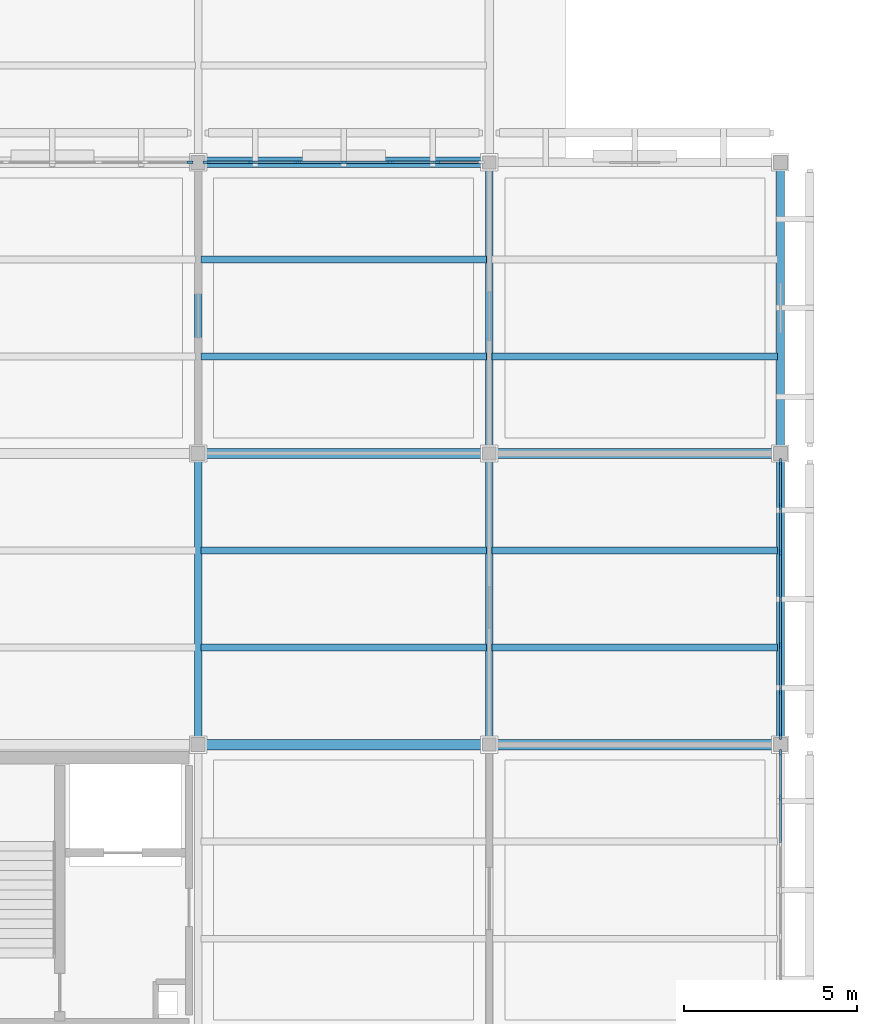
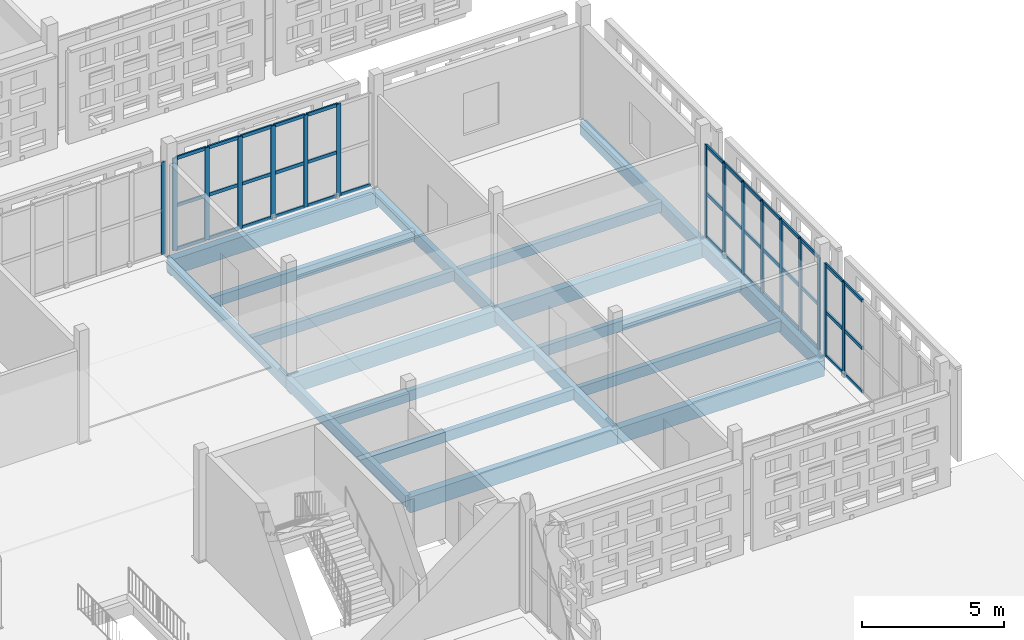
# One storey, part 75 of 203: 56 members, 18 beams, 4 elements without a shape of their own.
"""IFC4 building model written with IfcOpenShell, lengths in metres."""

import ifcopenshell
import ifcopenshell.guid

model = None  # the IFC model being written
_history = None  # IfcOwnerHistory: only IFC2X3 demands one
_inside = {}  # id of a spatial element -> (the spatial element, [elements in it])
_under = {}  # id of a project, library or spatial element -> (it, [spatial elements below it])
_declared = {}  # id of a project -> (the project, [libraries it declares])
_typed = {}  # id of a type object -> (the type object, [elements of that type])
_made_of = {}  # id of a material, layer set ... -> (it, [elements and type objects made of it])


def new_model(schema):
    """Start an empty IFC model of exactly this schema.

    Asked for "IFC4X3", IfcOpenShell would pick the latest addendum, in which some entities
    have other attributes; the version numbers below select the first issue.
    IFC2X3 requires an IfcOwnerHistory on every rooted entity: one is made here for all.
    """
    global model, _history
    if schema == "IFC4X3":
        model = ifcopenshell.file(schema_version=(4, 3, 0, 0))
    else:
        model = ifcopenshell.file(schema=schema)
    _inside.clear()
    _under.clear()
    _declared.clear()
    _typed.clear()
    _made_of.clear()
    _history = None
    if model.schema == "IFC2X3":
        org = make("IfcOrganization", Name="unknown")
        user = make(
            "IfcPersonAndOrganization",
            ThePerson=make("IfcPerson", FamilyName="unknown"),
            TheOrganization=org,
        )
        app = make(
            "IfcApplication",
            ApplicationDeveloper=org,
            Version="unknown",
            ApplicationFullName="unknown",
            ApplicationIdentifier="unknown",
        )
        _history = make(
            "IfcOwnerHistory",
            OwningUser=user,
            OwningApplication=app,
            ChangeAction="ADDED",
            CreationDate=0,
        )
    return model


def make(cls, **values):
    """One entity of the class cls with the attributes given. An attribute that is None is left unset."""
    return model.create_entity(
        cls, **{name: value for name, value in values.items() if value is not None}
    )


def rooted(cls, **values):
    """An entity with a GlobalId (a new one), such as an element, a storey or a relation."""
    return make(cls, GlobalId=ifcopenshell.guid.new(), OwnerHistory=_history, **values)


def si_unit(unit_type, name, prefix=None):
    """IfcSIUnit, for example si_unit("LENGTHUNIT", "METRE", prefix="MILLI")."""
    return make("IfcSIUnit", UnitType=unit_type, Prefix=prefix, Name=name)


def assignment(units):
    """IfcUnitAssignment: the units of a project."""
    return None if units is None else make("IfcUnitAssignment", Units=units)


def point(xyz):
    """IfcCartesianPoint."""
    return None if xyz is None else make("IfcCartesianPoint", Coordinates=xyz)


def direction(xyz):
    """IfcDirection."""
    return None if xyz is None else make("IfcDirection", DirectionRatios=xyz)


def frame(location, z_axis=None, x_axis=None):
    """IfcAxis2Placement3D, a coordinate frame: its origin and axes. An axis left out is left unset."""
    return make(
        "IfcAxis2Placement3D",
        Location=point(location),
        Axis=direction(z_axis),
        RefDirection=direction(x_axis),
    )


def frame_2d(location, x_axis=None):
    """IfcAxis2Placement2D, a coordinate frame in the plane: its origin and x axis."""
    return make(
        "IfcAxis2Placement2D", Location=point(location), RefDirection=direction(x_axis)
    )


def origin():
    """The frame at (0, 0, 0) with its axes left unset."""
    return frame((0.0, 0.0, 0.0))


def origin_2d():
    """The frame at (0, 0) in the plane with its x axis left unset."""
    return frame_2d((0.0, 0.0))


def place(relative_to, where):
    """IfcLocalPlacement: puts the frame where relative to a parent placement (None: the world)."""
    return make(
        "IfcLocalPlacement", PlacementRelTo=relative_to, RelativePlacement=where
    )


def context(
    kind, dimensions, precision=None, world=None, true_north=None, identifier=None
):
    """IfcGeometricRepresentationContext, for example the 3D "Model" context."""
    return make(
        "IfcGeometricRepresentationContext",
        ContextIdentifier=identifier,
        ContextType=kind,
        CoordinateSpaceDimension=dimensions,
        Precision=precision,
        WorldCoordinateSystem=world,
        TrueNorth=true_north,
    )


def subcontext(parent, identifier, kind, view, scale=None):
    """IfcGeometricRepresentationSubContext, for example "Body" below "Model"."""
    return make(
        "IfcGeometricRepresentationSubContext",
        ContextIdentifier=identifier,
        ContextType=kind,
        ParentContext=parent,
        TargetScale=scale,
        TargetView=view,
    )


def project(units=None, contexts=None):
    """IfcProject with its units and contexts."""
    return rooted(
        "IfcProject",
        Name="project",
        RepresentationContexts=contexts,
        UnitsInContext=assignment(units),
    )


def spatial(cls, under=None, at=None, **own):
    """A site, building, storey or space (cls), placed at a placement, below another one or the project."""
    s = rooted(cls, ObjectPlacement=at, **own)
    if under is not None:
        _under.setdefault(under.id(), (under, []))[1].append(s)
    return s


def profile(cls, at=None, kind="AREA", **sizes):
    """A parametric profile (cls). Its sizes go by their IFC names, for example OverallWidth=200.0."""
    return make(cls, ProfileType=kind, Position=at, **sizes)


def rectangle(**sizes):
    """IfcRectangleProfileDef."""
    return profile("IfcRectangleProfileDef", **sizes)


def extrude(swept, where, along, depth):
    """IfcExtrudedAreaSolid: the profile swept, set in the frame where, extruded along a direction by depth."""
    return make(
        "IfcExtrudedAreaSolid",
        SweptArea=swept,
        Position=where,
        ExtrudedDirection=direction(along),
        Depth=depth,
    )


def shape(context_of_items, identifier, shape_type, items):
    """IfcShapeRepresentation: the items that make up one representation, for example the "Body"."""
    return make(
        "IfcShapeRepresentation",
        ContextOfItems=context_of_items,
        RepresentationIdentifier=identifier,
        RepresentationType=shape_type,
        Items=items,
    )


def material(Name=None, Category=None):
    """IfcMaterial."""
    return make("IfcMaterial", Name=Name, Category=Category)


def layer(
    of_material, thickness, ventilated=None, Name=None, Category=None, Priority=None
):
    """IfcMaterialLayer: one layer of a wall or slab, of a material (None: an air gap)."""
    return make(
        "IfcMaterialLayer",
        Material=of_material,
        LayerThickness=thickness,
        IsVentilated=ventilated,
        Name=Name,
        Category=Category,
        Priority=Priority,
    )


def layer_set(layers, Name=None):
    """IfcMaterialLayerSet."""
    return make("IfcMaterialLayerSet", MaterialLayers=layers, LayerSetName=Name)


def material_profile(
    of_material, cross_section, Name=None, Category=None, Priority=None
):
    """IfcMaterialProfile: a cross section and its material."""
    return make(
        "IfcMaterialProfile",
        Name=Name,
        Material=of_material,
        Profile=cross_section,
        Priority=Priority,
        Category=Category,
    )


def profile_set(profiles, Name=None, composite=None):
    """IfcMaterialProfileSet."""
    return make(
        "IfcMaterialProfileSet",
        Name=Name,
        MaterialProfiles=profiles,
        CompositeProfile=composite,
    )


def made_of(thing, what):
    """Note that an element or type object is made of a material, layer set ...; save() writes the relation."""
    if what is not None:
        _made_of.setdefault(what.id(), (what, []))[1].append(thing)
    return thing


def type_object(cls, material=None, **own):
    """A type object (cls), such as IfcWallType, which elements share."""
    return made_of(rooted(cls, **own), material)


def element(
    cls,
    number,
    at=None,
    inside=None,
    cuts=None,
    type_object=None,
    material=None,
    context=None,
    identifier="Body",
    shape_type=None,
    held_by="IfcProductDefinitionShape",
    body=None,
    shapes=None,
    **own,
):
    """One element of the class cls, such as IfcWall. Its Tag is "e" and its number.

    at: its placement. inside: the storey or other place that contains it. cuts: it is an
    opening in that element (IfcRelVoidsElement). A single representation is given by context,
    identifier, shape_type and body (its items); several are given by shapes. held_by: the class
    of the entity that holds the representations. save() writes the other relations.
    """
    e = rooted(cls, Tag="e%d" % number, ObjectPlacement=at, **own)
    if body is not None:
        shapes = [shape(context, identifier, shape_type, body)]
    if shapes is not None:
        e.Representation = make(held_by, Representations=shapes)
    if inside is not None:
        _inside.setdefault(inside.id(), (inside, []))[1].append(e)
    if cuts is not None:
        rooted(
            "IfcRelVoidsElement", RelatingBuildingElement=cuts, RelatedOpeningElement=e
        )
    if type_object is not None:
        _typed.setdefault(type_object.id(), (type_object, []))[1].append(e)
    return made_of(e, material)


def aggregate(whole, parts):
    """IfcRelAggregates: a whole, such as a stair, and the parts it consists of."""
    return rooted("IfcRelAggregates", RelatingObject=whole, RelatedObjects=parts)


def save(model, path):
    """Write the relations noted so far, then the file.

    IfcRelAggregates (storeys below a building ...), IfcRelContainedInSpatialStructure (elements
    in a storey), IfcRelDefinesByType, IfcRelAssociatesMaterial and IfcRelDeclares: one each for
    every whole, place, type object, material and project.
    """
    for whole, parts in _under.values():
        aggregate(whole, parts)
    for where, things in _inside.values():
        rooted(
            "IfcRelContainedInSpatialStructure",
            RelatedElements=things,
            RelatingStructure=where,
        )
    for kind, things in _typed.values():
        rooted("IfcRelDefinesByType", RelatedObjects=things, RelatingType=kind)
    for what, things in _made_of.values():
        rooted("IfcRelAssociatesMaterial", RelatedObjects=things, RelatingMaterial=what)
    for by, libraries in _declared.values():
        rooted("IfcRelDeclares", RelatingContext=by, RelatedDefinitions=libraries)
    model.write(path)


model = new_model("IFC4")

# Units and contexts
model_context = context("Model", 3, precision=1e-05, world=origin(), true_north=direction((0.0, 1.0)))
body_context = subcontext(model_context, "Body", "Model", "MODEL_VIEW")
ifc_project = project(units=[si_unit("LENGTHUNIT", "METRE"), si_unit("AREAUNIT", "SQUARE_METRE"), si_unit("VOLUMEUNIT", "CUBIC_METRE"), si_unit("PLANEANGLEUNIT", "RADIAN"), si_unit("MASSUNIT", "GRAM", prefix="KILO")], contexts=[model_context])

# Site, building, storey
site_placement = place(None, origin())
site = spatial("IfcSite", under=ifc_project, at=site_placement, CompositionType="ELEMENT")
building_placement = place(site_placement, origin())
building = spatial("IfcBuilding", under=site, at=building_placement, Name="Varnapada Polytechnic", CompositionType="ELEMENT")
storey_placement = place(building_placement, frame((0.0, 0.0, 4.800048828125)))
storey = spatial("IfcBuildingStorey", under=building, at=storey_placement, Name="L01", CompositionType="ELEMENT", Elevation=4.800048828125)

# Beams
ifc_material_1 = material(Name="Glulam GL32h", Category="wood")
ifc_material_profile_1 = material_profile(ifc_material_1, rectangle(XDim=0.199951171875, YDim=0.43994140625, at=origin_2d()), Name="GL 200x440")
ifc_profile_set_1 = profile_set([ifc_material_profile_1], Name="Glulam GL32h")
beam_type_1 = type_object("IfcBeamType", Name="Heavy laboratory glulam joist GJ-03 (GL 200x440)", PredefinedType="JOIST", material=ifc_profile_set_1)
for number, where, z_axis, x_axis, name in (
    (1, (159.679931640625, 36.39990234375, -0.469970703125), (1.0, 0.0, 0.0), (0.0, 1.0, 0.0), "L01 floor joist 20/5.1"),
    (2, (159.679931640625, 39.199951171875, -0.469970703125), (1.0, 0.0, 0.0), (0.0, 1.0, 0.0), "L01 floor joist 20/5.2"),
    (3, (159.679931640625, 44.800048828125, -0.469970703125), (1.0, 0.0, 0.0), (0.0, 1.0, 0.0), "L01 floor joist 20/6.1"),
    (4, (159.679931640625, 47.60009765625, -0.469970703125), (1.0, 0.0, 0.0), (0.0, 1.0, 0.0), "L01 floor joist 20/6.2"),
    (5, (168.080078125, 36.39990234375, -0.469970703125), (1.0, 0.0, 0.0), (0.0, 1.0, 0.0), "L01 floor joist 21/5.1"),
    (6, (168.080078125, 39.199951171875, -0.469970703125), (1.0, 0.0, 0.0), (0.0, 1.0, 0.0), "L01 floor joist 21/5.2"),
    (7, (168.080078125, 44.800048828125, -0.469970703125), (1.0, 0.0, 0.0), (0.0, 1.0, 0.0), "L01 floor joist 21/6.1"),
):
    element("IfcBeam", number, at=place(storey_placement, frame(where, z_axis=z_axis, x_axis=x_axis)), inside=storey, type_object=beam_type_1, Name=name, PredefinedType="JOIST", context=body_context, shape_type="SweptSolid", body=[
        extrude(rectangle(XDim=0.199951171875, YDim=0.43994140625, at=origin_2d()), origin(), (0.0, 0.0, 1.0), 8.239990234375),
    ])

# Curtain wall, member
ifc_material_2 = material(Name="Double low-E laminated glass", Category="glass")
ifc_layer = layer(ifc_material_2, 0.179931640625)
ifc_layer_set = layer_set([ifc_layer], Name="Double low-E laminated glass")
curtain_wall_type = type_object("IfcCurtainWallType", Name="Curtain Wall CW-04", PredefinedType="NOTDEFINED", material=ifc_layer_set)
curtain_wall_1_placement = place(storey_placement, origin())
curtain_wall_1 = element("IfcCurtainWall", 8, at=curtain_wall_1_placement, inside=storey, type_object=curtain_wall_type, Name="L01 unitised curtain wall CW-04 (111)", PredefinedType="NOTDEFINED")
ifc_material_3 = material(Name="Anodised aluminium", Category="aluminium")
ifc_material_profile_2 = material_profile(ifc_material_3, rectangle(XDim=0.06494140625, YDim=0.179931640625, at=origin_2d()), Name="ALU M65x180")
ifc_profile_set_2 = profile_set([ifc_material_profile_2], Name="Anodised aluminium")
member_type_1 = type_object("IfcMemberType", Name="Mullion M-02", PredefinedType="MULLION", material=ifc_profile_set_2)
member_1_placement = place(storey_placement, frame((159.367431640625, 50.39990234375, 0.0), z_axis=(0.0, 0.0, 1.0), x_axis=(0.0, 1.0, 0.0)))
member_1 = element("IfcMember", 9, at=member_1_placement, type_object=member_type_1, Name="CW-04 mullion 7", PredefinedType="MULLION", context=body_context, shape_type="SweptSolid", body=[
    extrude(rectangle(XDim=0.06494140625, YDim=0.179931640625, at=origin_2d()), origin(), (0.0, 0.0, 1.0), 3.9599609375),
])
aggregate(curtain_wall_1, [member_1])

# Curtain wall, members
curtain_wall_2_placement = place(storey_placement, origin())
curtain_wall_2 = element("IfcCurtainWall", 10, at=curtain_wall_2_placement, inside=storey, type_object=curtain_wall_type, Name="L01 unitised curtain wall CW-04 (112)", PredefinedType="NOTDEFINED")
member_2_placement = place(storey_placement, frame((159.83251953125, 50.39990234375, 0.0), z_axis=(0.0, 0.0, 1.0), x_axis=(0.0, 1.0, 0.0)))
member_2 = element("IfcMember", 11, at=member_2_placement, type_object=member_type_1, Name="CW-04 mullion 1", PredefinedType="MULLION", context=body_context, shape_type="SweptSolid", body=[
    extrude(rectangle(XDim=0.06494140625, YDim=0.179931640625, at=origin_2d()), origin(), (0.0, 0.0, 1.0), 3.9599609375),
])
member_3_placement = place(storey_placement, frame((161.135009765625, 50.39990234375, 0.0), z_axis=(0.0, 0.0, 1.0), x_axis=(0.0, 1.0, 0.0)))
member_3 = element("IfcMember", 12, at=member_3_placement, type_object=member_type_1, Name="CW-04 mullion 2", PredefinedType="MULLION", context=body_context, shape_type="SweptSolid", body=[
    extrude(rectangle(XDim=0.06494140625, YDim=0.179931640625, at=origin_2d()), origin(), (0.0, 0.0, 1.0), 3.9599609375),
])
member_4_placement = place(storey_placement, frame((162.469970703125, 50.39990234375, 0.0), z_axis=(0.0, 0.0, 1.0), x_axis=(0.0, 1.0, 0.0)))
member_4 = element("IfcMember", 13, at=member_4_placement, type_object=member_type_1, Name="CW-04 mullion 3", PredefinedType="MULLION", context=body_context, shape_type="SweptSolid", body=[
    extrude(rectangle(XDim=0.06494140625, YDim=0.179931640625, at=origin_2d()), origin(), (0.0, 0.0, 1.0), 3.9599609375),
])
member_5_placement = place(storey_placement, frame((163.804931640625, 50.39990234375, 0.0), z_axis=(0.0, 0.0, 1.0), x_axis=(0.0, 1.0, 0.0)))
member_5 = element("IfcMember", 14, at=member_5_placement, type_object=member_type_1, Name="CW-04 mullion 4", PredefinedType="MULLION", context=body_context, shape_type="SweptSolid", body=[
    extrude(rectangle(XDim=0.06494140625, YDim=0.179931640625, at=origin_2d()), origin(), (0.0, 0.0, 1.0), 3.9599609375),
])
member_6_placement = place(storey_placement, frame((165.139892578125, 50.39990234375, 0.0), z_axis=(0.0, 0.0, 1.0), x_axis=(0.0, 1.0, 0.0)))
member_6 = element("IfcMember", 15, at=member_6_placement, type_object=member_type_1, Name="CW-04 mullion 5", PredefinedType="MULLION", context=body_context, shape_type="SweptSolid", body=[
    extrude(rectangle(XDim=0.06494140625, YDim=0.179931640625, at=origin_2d()), origin(), (0.0, 0.0, 1.0), 3.9599609375),
])
member_7_placement = place(storey_placement, frame((166.47509765625, 50.39990234375, 0.0), z_axis=(0.0, 0.0, 1.0), x_axis=(0.0, 1.0, 0.0)))
member_7 = element("IfcMember", 16, at=member_7_placement, type_object=member_type_1, Name="CW-04 mullion 6", PredefinedType="MULLION", context=body_context, shape_type="SweptSolid", body=[
    extrude(rectangle(XDim=0.06494140625, YDim=0.179931640625, at=origin_2d()), origin(), (0.0, 0.0, 1.0), 3.9599609375),
])

curtain_wall_3_placement = place(storey_placement, origin())
curtain_wall_3 = element("IfcCurtainWall", 17, at=curtain_wall_3_placement, inside=storey, type_object=curtain_wall_type, Name="L01 unitised curtain wall CW-04 (119)", PredefinedType="NOTDEFINED")
member_8_placement = place(storey_placement, frame((176.39990234375, 33.367431640625, 0.0), z_axis=(0.0, 0.0, 1.0), x_axis=(1.0, 0.0, 0.0)))
member_8 = element("IfcMember", 18, at=member_8_placement, type_object=member_type_1, Name="CW-04 mullion 1", PredefinedType="MULLION", context=body_context, shape_type="SweptSolid", body=[
    extrude(rectangle(XDim=0.06494140625, YDim=0.179931640625, at=origin_2d()), origin(), (0.0, 0.0, 1.0), 3.9599609375),
])
member_9_placement = place(storey_placement, frame((176.39990234375, 32.066650390625, 0.0), z_axis=(0.0, 0.0, 1.0), x_axis=(1.0, 0.0, 0.0)))
member_9 = element("IfcMember", 19, at=member_9_placement, type_object=member_type_1, Name="CW-04 mullion 2", PredefinedType="MULLION", context=body_context, shape_type="SweptSolid", body=[
    extrude(rectangle(XDim=0.06494140625, YDim=0.179931640625, at=origin_2d()), origin(), (0.0, 0.0, 1.0), 3.9599609375),
])

curtain_wall_4_placement = place(storey_placement, origin())
curtain_wall_4 = element("IfcCurtainWall", 20, at=curtain_wall_4_placement, inside=storey, type_object=curtain_wall_type, Name="L01 unitised curtain wall CW-04 (120)", PredefinedType="NOTDEFINED")
member_10_placement = place(storey_placement, frame((176.39990234375, 41.767578125, 0.0), z_axis=(0.0, 0.0, 1.0), x_axis=(1.0, 0.0, 0.0)))
member_10 = element("IfcMember", 21, at=member_10_placement, type_object=member_type_1, Name="CW-04 mullion 1", PredefinedType="MULLION", context=body_context, shape_type="SweptSolid", body=[
    extrude(rectangle(XDim=0.06494140625, YDim=0.179931640625, at=origin_2d()), origin(), (0.0, 0.0, 1.0), 3.9599609375),
])
member_11_placement = place(storey_placement, frame((176.39990234375, 40.466552734375, 0.0), z_axis=(0.0, 0.0, 1.0), x_axis=(1.0, 0.0, 0.0)))
member_11 = element("IfcMember", 22, at=member_11_placement, type_object=member_type_1, Name="CW-04 mullion 2", PredefinedType="MULLION", context=body_context, shape_type="SweptSolid", body=[
    extrude(rectangle(XDim=0.06494140625, YDim=0.179931640625, at=origin_2d()), origin(), (0.0, 0.0, 1.0), 3.9599609375),
])
member_12_placement = place(storey_placement, frame((176.39990234375, 39.13330078125, 0.0), z_axis=(0.0, 0.0, 1.0), x_axis=(1.0, 0.0, 0.0)))
member_12 = element("IfcMember", 23, at=member_12_placement, type_object=member_type_1, Name="CW-04 mullion 3", PredefinedType="MULLION", context=body_context, shape_type="SweptSolid", body=[
    extrude(rectangle(XDim=0.06494140625, YDim=0.179931640625, at=origin_2d()), origin(), (0.0, 0.0, 1.0), 3.9599609375),
])
member_13_placement = place(storey_placement, frame((176.39990234375, 37.800048828125, 0.0), z_axis=(0.0, 0.0, 1.0), x_axis=(1.0, 0.0, 0.0)))
member_13 = element("IfcMember", 24, at=member_13_placement, type_object=member_type_1, Name="CW-04 mullion 4", PredefinedType="MULLION", context=body_context, shape_type="SweptSolid", body=[
    extrude(rectangle(XDim=0.06494140625, YDim=0.179931640625, at=origin_2d()), origin(), (0.0, 0.0, 1.0), 3.9599609375),
])
member_14_placement = place(storey_placement, frame((176.39990234375, 36.466552734375, 0.0), z_axis=(0.0, 0.0, 1.0), x_axis=(1.0, 0.0, 0.0)))
member_14 = element("IfcMember", 25, at=member_14_placement, type_object=member_type_1, Name="CW-04 mullion 5", PredefinedType="MULLION", context=body_context, shape_type="SweptSolid", body=[
    extrude(rectangle(XDim=0.06494140625, YDim=0.179931640625, at=origin_2d()), origin(), (0.0, 0.0, 1.0), 3.9599609375),
])
member_15_placement = place(storey_placement, frame((176.39990234375, 35.13330078125, 0.0), z_axis=(0.0, 0.0, 1.0), x_axis=(1.0, 0.0, 0.0)))
member_15 = element("IfcMember", 26, at=member_15_placement, type_object=member_type_1, Name="CW-04 mullion 6", PredefinedType="MULLION", context=body_context, shape_type="SweptSolid", body=[
    extrude(rectangle(XDim=0.06494140625, YDim=0.179931640625, at=origin_2d()), origin(), (0.0, 0.0, 1.0), 3.9599609375),
])
member_16_placement = place(storey_placement, frame((176.39990234375, 33.83251953125, 0.0), z_axis=(0.0, 0.0, 1.0), x_axis=(1.0, 0.0, 0.0)))
member_16 = element("IfcMember", 27, at=member_16_placement, type_object=member_type_1, Name="CW-04 mullion 7", PredefinedType="MULLION", context=body_context, shape_type="SweptSolid", body=[
    extrude(rectangle(XDim=0.06494140625, YDim=0.179931640625, at=origin_2d()), origin(), (0.0, 0.0, 1.0), 3.9599609375),
])

# Beams
ifc_material_profile_3 = material_profile(ifc_material_1, rectangle(XDim=0.239990234375, YDim=0.56005859375, at=origin_2d()), Name="GL 240x560")
ifc_profile_set_3 = profile_set([ifc_material_profile_3], Name="Glulam GL32h")
beam_type_2 = type_object("IfcBeamType", Name="Perimeter glulam spandrel beam SP-02 (GL 240x560)", PredefinedType="SPANDREL", material=ifc_profile_set_3)
for number, where, z_axis, x_axis, name in (
    (28, (176.39990234375, 33.60009765625, -0.530029296875), (0.0, 1.0, 0.0), (-1.0, 0.0, 0.0), "L01 beam Y 5-6 at X22"),
    (29, (176.39990234375, 42.0, -0.530029296875), (0.0, 1.0, 0.0), (-1.0, 0.0, 0.0), "L01 beam Y 6-7 at X22"),
):
    element("IfcBeam", number, at=place(storey_placement, frame(where, z_axis=z_axis, x_axis=x_axis)), inside=storey, type_object=beam_type_2, Name=name, PredefinedType="SPANDREL", context=body_context, shape_type="SweptSolid", body=[
        extrude(rectangle(XDim=0.239990234375, YDim=0.56005859375, at=origin_2d()), origin(), (0.0, 0.0, 1.0), 8.39990234375),
    ])

# Member
ifc_material_profile_4 = material_profile(ifc_material_3, rectangle(XDim=0.06494140625, YDim=0.139892578125, at=origin_2d()), Name="ALU T65x140")
ifc_profile_set_4 = profile_set([ifc_material_profile_4], Name="Anodised aluminium")
member_type_2 = type_object("IfcMemberType", Name="Transom T-02", PredefinedType="USERDEFINED", material=ifc_profile_set_4)
member_17_placement = place(storey_placement, frame((159.864990234375, 50.39990234375, 0.032470703125), z_axis=(1.0, 0.0, 0.0), x_axis=(0.0, 1.0, 0.0)))
member_17 = element("IfcMember", 30, at=member_17_placement, type_object=member_type_2, Name="CW-04 transom 1.1", ObjectType="TRANSOM", PredefinedType="USERDEFINED", context=body_context, shape_type="SweptSolid", body=[
    extrude(rectangle(XDim=0.06494140625, YDim=0.139892578125, at=origin_2d()), origin(), (0.0, 0.0, 1.0), 1.237548828125),
])

member_18_placement = place(storey_placement, frame((159.864990234375, 50.39990234375, 1.900634765625), z_axis=(1.0, 0.0, 0.0), x_axis=(0.0, 1.0, 0.0)))
member_18 = element("IfcMember", 31, at=member_18_placement, type_object=member_type_2, Name="CW-04 transom 1.2", ObjectType="TRANSOM", PredefinedType="USERDEFINED", context=body_context, shape_type="SweptSolid", body=[
    extrude(rectangle(XDim=0.06494140625, YDim=0.139892578125, at=origin_2d()), origin(), (0.0, 0.0, 1.0), 1.237548828125),
])

member_19_placement = place(storey_placement, frame((159.864990234375, 50.39990234375, 3.927490234375), z_axis=(1.0, 0.0, 0.0), x_axis=(0.0, 1.0, 0.0)))
member_19 = element("IfcMember", 32, at=member_19_placement, type_object=member_type_2, Name="CW-04 transom 1.3", ObjectType="TRANSOM", PredefinedType="USERDEFINED", context=body_context, shape_type="SweptSolid", body=[
    extrude(rectangle(XDim=0.06494140625, YDim=0.139892578125, at=origin_2d()), origin(), (0.0, 0.0, 1.0), 1.237548828125),
])

member_20_placement = place(storey_placement, frame((161.16748046875, 50.39990234375, 0.032470703125), z_axis=(1.0, 0.0, 0.0), x_axis=(0.0, 1.0, 0.0)))
member_20 = element("IfcMember", 33, at=member_20_placement, type_object=member_type_2, Name="CW-04 transom 2.1", ObjectType="TRANSOM", PredefinedType="USERDEFINED", context=body_context, shape_type="SweptSolid", body=[
    extrude(rectangle(XDim=0.06494140625, YDim=0.139892578125, at=origin_2d()), origin(), (0.0, 0.0, 1.0), 1.27001953125),
])

member_21_placement = place(storey_placement, frame((161.16748046875, 50.39990234375, 1.900634765625), z_axis=(1.0, 0.0, 0.0), x_axis=(0.0, 1.0, 0.0)))
member_21 = element("IfcMember", 34, at=member_21_placement, type_object=member_type_2, Name="CW-04 transom 2.2", ObjectType="TRANSOM", PredefinedType="USERDEFINED", context=body_context, shape_type="SweptSolid", body=[
    extrude(rectangle(XDim=0.06494140625, YDim=0.139892578125, at=origin_2d()), origin(), (0.0, 0.0, 1.0), 1.27001953125),
])

member_22_placement = place(storey_placement, frame((161.16748046875, 50.39990234375, 3.927490234375), z_axis=(1.0, 0.0, 0.0), x_axis=(0.0, 1.0, 0.0)))
member_22 = element("IfcMember", 35, at=member_22_placement, type_object=member_type_2, Name="CW-04 transom 2.3", ObjectType="TRANSOM", PredefinedType="USERDEFINED", context=body_context, shape_type="SweptSolid", body=[
    extrude(rectangle(XDim=0.06494140625, YDim=0.139892578125, at=origin_2d()), origin(), (0.0, 0.0, 1.0), 1.27001953125),
])

member_23_placement = place(storey_placement, frame((162.50244140625, 50.39990234375, 0.032470703125), z_axis=(1.0, 0.0, 0.0), x_axis=(0.0, 1.0, 0.0)))
member_23 = element("IfcMember", 36, at=member_23_placement, type_object=member_type_2, Name="CW-04 transom 3.1", ObjectType="TRANSOM", PredefinedType="USERDEFINED", context=body_context, shape_type="SweptSolid", body=[
    extrude(rectangle(XDim=0.06494140625, YDim=0.139892578125, at=origin_2d()), origin(), (0.0, 0.0, 1.0), 1.27001953125),
])

member_24_placement = place(storey_placement, frame((162.50244140625, 50.39990234375, 1.900634765625), z_axis=(1.0, 0.0, 0.0), x_axis=(0.0, 1.0, 0.0)))
member_24 = element("IfcMember", 37, at=member_24_placement, type_object=member_type_2, Name="CW-04 transom 3.2", ObjectType="TRANSOM", PredefinedType="USERDEFINED", context=body_context, shape_type="SweptSolid", body=[
    extrude(rectangle(XDim=0.06494140625, YDim=0.139892578125, at=origin_2d()), origin(), (0.0, 0.0, 1.0), 1.27001953125),
])

member_25_placement = place(storey_placement, frame((162.50244140625, 50.39990234375, 3.927490234375), z_axis=(1.0, 0.0, 0.0), x_axis=(0.0, 1.0, 0.0)))
member_25 = element("IfcMember", 38, at=member_25_placement, type_object=member_type_2, Name="CW-04 transom 3.3", ObjectType="TRANSOM", PredefinedType="USERDEFINED", context=body_context, shape_type="SweptSolid", body=[
    extrude(rectangle(XDim=0.06494140625, YDim=0.139892578125, at=origin_2d()), origin(), (0.0, 0.0, 1.0), 1.27001953125),
])

member_26_placement = place(storey_placement, frame((163.83740234375, 50.39990234375, 0.032470703125), z_axis=(1.0, 0.0, 0.0), x_axis=(0.0, 1.0, 0.0)))
member_26 = element("IfcMember", 39, at=member_26_placement, type_object=member_type_2, Name="CW-04 transom 4.1", ObjectType="TRANSOM", PredefinedType="USERDEFINED", context=body_context, shape_type="SweptSolid", body=[
    extrude(rectangle(XDim=0.06494140625, YDim=0.139892578125, at=origin_2d()), origin(), (0.0, 0.0, 1.0), 1.27001953125),
])

member_27_placement = place(storey_placement, frame((163.83740234375, 50.39990234375, 1.900634765625), z_axis=(1.0, 0.0, 0.0), x_axis=(0.0, 1.0, 0.0)))
member_27 = element("IfcMember", 40, at=member_27_placement, type_object=member_type_2, Name="CW-04 transom 4.2", ObjectType="TRANSOM", PredefinedType="USERDEFINED", context=body_context, shape_type="SweptSolid", body=[
    extrude(rectangle(XDim=0.06494140625, YDim=0.139892578125, at=origin_2d()), origin(), (0.0, 0.0, 1.0), 1.27001953125),
])

member_28_placement = place(storey_placement, frame((163.83740234375, 50.39990234375, 3.927490234375), z_axis=(1.0, 0.0, 0.0), x_axis=(0.0, 1.0, 0.0)))
member_28 = element("IfcMember", 41, at=member_28_placement, type_object=member_type_2, Name="CW-04 transom 4.3", ObjectType="TRANSOM", PredefinedType="USERDEFINED", context=body_context, shape_type="SweptSolid", body=[
    extrude(rectangle(XDim=0.06494140625, YDim=0.139892578125, at=origin_2d()), origin(), (0.0, 0.0, 1.0), 1.27001953125),
])

member_29_placement = place(storey_placement, frame((165.172607421875, 50.39990234375, 0.032470703125), z_axis=(1.0, 0.0, 0.0), x_axis=(0.0, 1.0, 0.0)))
member_29 = element("IfcMember", 42, at=member_29_placement, type_object=member_type_2, Name="CW-04 transom 5.1", ObjectType="TRANSOM", PredefinedType="USERDEFINED", context=body_context, shape_type="SweptSolid", body=[
    extrude(rectangle(XDim=0.06494140625, YDim=0.139892578125, at=origin_2d()), origin(), (0.0, 0.0, 1.0), 1.269775390625),
])

member_30_placement = place(storey_placement, frame((165.172607421875, 50.39990234375, 1.900634765625), z_axis=(1.0, 0.0, 0.0), x_axis=(0.0, 1.0, 0.0)))
member_30 = element("IfcMember", 43, at=member_30_placement, type_object=member_type_2, Name="CW-04 transom 5.2", ObjectType="TRANSOM", PredefinedType="USERDEFINED", context=body_context, shape_type="SweptSolid", body=[
    extrude(rectangle(XDim=0.06494140625, YDim=0.139892578125, at=origin_2d()), origin(), (0.0, 0.0, 1.0), 1.269775390625),
])

member_31_placement = place(storey_placement, frame((165.172607421875, 50.39990234375, 3.927490234375), z_axis=(1.0, 0.0, 0.0), x_axis=(0.0, 1.0, 0.0)))
member_31 = element("IfcMember", 44, at=member_31_placement, type_object=member_type_2, Name="CW-04 transom 5.3", ObjectType="TRANSOM", PredefinedType="USERDEFINED", context=body_context, shape_type="SweptSolid", body=[
    extrude(rectangle(XDim=0.06494140625, YDim=0.139892578125, at=origin_2d()), origin(), (0.0, 0.0, 1.0), 1.269775390625),
])

member_32_placement = place(storey_placement, frame((166.507568359375, 50.39990234375, 0.032470703125), z_axis=(1.0, 0.0, 0.0), x_axis=(0.0, 1.0, 0.0)))
member_32 = element("IfcMember", 45, at=member_32_placement, type_object=member_type_2, Name="CW-04 transom 6.1", ObjectType="TRANSOM", PredefinedType="USERDEFINED", context=body_context, shape_type="SweptSolid", body=[
    extrude(rectangle(XDim=0.06494140625, YDim=0.139892578125, at=origin_2d()), origin(), (0.0, 0.0, 1.0), 1.237548828125),
])

aggregate(curtain_wall_2, [member_2, member_3, member_4, member_5, member_6, member_7, member_17, member_18, member_19, member_20, member_21, member_22, member_23, member_24, member_25, member_26, member_27, member_28, member_29, member_30, member_31, member_32])

member_33_placement = place(storey_placement, frame((176.39990234375, 33.3349609375, 0.032470703125), z_axis=(0.0, -1.0, 0.0), x_axis=(1.0, 0.0, 0.0)))
member_33 = element("IfcMember", 46, at=member_33_placement, type_object=member_type_2, Name="CW-04 transom 1.1", ObjectType="TRANSOM", PredefinedType="USERDEFINED", context=body_context, shape_type="SweptSolid", body=[
    extrude(rectangle(XDim=0.06494140625, YDim=0.139892578125, at=origin_2d()), origin(), (0.0, 0.0, 1.0), 1.23583984375),
])

member_34_placement = place(storey_placement, frame((176.39990234375, 33.3349609375, 1.900634765625), z_axis=(0.0, -1.0, 0.0), x_axis=(1.0, 0.0, 0.0)))
member_34 = element("IfcMember", 47, at=member_34_placement, type_object=member_type_2, Name="CW-04 transom 1.2", ObjectType="TRANSOM", PredefinedType="USERDEFINED", context=body_context, shape_type="SweptSolid", body=[
    extrude(rectangle(XDim=0.06494140625, YDim=0.139892578125, at=origin_2d()), origin(), (0.0, 0.0, 1.0), 1.23583984375),
])

member_35_placement = place(storey_placement, frame((176.39990234375, 33.3349609375, 3.927490234375), z_axis=(0.0, -1.0, 0.0), x_axis=(1.0, 0.0, 0.0)))
member_35 = element("IfcMember", 48, at=member_35_placement, type_object=member_type_2, Name="CW-04 transom 1.3", ObjectType="TRANSOM", PredefinedType="USERDEFINED", context=body_context, shape_type="SweptSolid", body=[
    extrude(rectangle(XDim=0.06494140625, YDim=0.139892578125, at=origin_2d()), origin(), (0.0, 0.0, 1.0), 1.23583984375),
])

member_36_placement = place(storey_placement, frame((176.39990234375, 32.0341796875, 0.032470703125), z_axis=(0.0, -1.0, 0.0), x_axis=(1.0, 0.0, 0.0)))
member_36 = element("IfcMember", 49, at=member_36_placement, type_object=member_type_2, Name="CW-04 transom 2.1", ObjectType="TRANSOM", PredefinedType="USERDEFINED", context=body_context, shape_type="SweptSolid", body=[
    extrude(rectangle(XDim=0.06494140625, YDim=0.139892578125, at=origin_2d()), origin(), (0.0, 0.0, 1.0), 1.268310546875),
])

member_37_placement = place(storey_placement, frame((176.39990234375, 32.0341796875, 1.900634765625), z_axis=(0.0, -1.0, 0.0), x_axis=(1.0, 0.0, 0.0)))
member_37 = element("IfcMember", 50, at=member_37_placement, type_object=member_type_2, Name="CW-04 transom 2.2", ObjectType="TRANSOM", PredefinedType="USERDEFINED", context=body_context, shape_type="SweptSolid", body=[
    extrude(rectangle(XDim=0.06494140625, YDim=0.139892578125, at=origin_2d()), origin(), (0.0, 0.0, 1.0), 1.268310546875),
])

member_38_placement = place(storey_placement, frame((176.39990234375, 32.0341796875, 3.927490234375), z_axis=(0.0, -1.0, 0.0), x_axis=(1.0, 0.0, 0.0)))
member_38 = element("IfcMember", 51, at=member_38_placement, type_object=member_type_2, Name="CW-04 transom 2.3", ObjectType="TRANSOM", PredefinedType="USERDEFINED", context=body_context, shape_type="SweptSolid", body=[
    extrude(rectangle(XDim=0.06494140625, YDim=0.139892578125, at=origin_2d()), origin(), (0.0, 0.0, 1.0), 1.268310546875),
])

aggregate(curtain_wall_3, [member_8, member_9, member_33, member_34, member_35, member_36, member_37, member_38])

member_39_placement = place(storey_placement, frame((176.39990234375, 41.735107421875, 0.032470703125), z_axis=(0.0, -1.0, 0.0), x_axis=(1.0, 0.0, 0.0)))
member_39 = element("IfcMember", 52, at=member_39_placement, type_object=member_type_2, Name="CW-04 transom 1.1", ObjectType="TRANSOM", PredefinedType="USERDEFINED", context=body_context, shape_type="SweptSolid", body=[
    extrude(rectangle(XDim=0.06494140625, YDim=0.139892578125, at=origin_2d()), origin(), (0.0, 0.0, 1.0), 1.23583984375),
])

member_40_placement = place(storey_placement, frame((176.39990234375, 41.735107421875, 1.900634765625), z_axis=(0.0, -1.0, 0.0), x_axis=(1.0, 0.0, 0.0)))
member_40 = element("IfcMember", 53, at=member_40_placement, type_object=member_type_2, Name="CW-04 transom 1.2", ObjectType="TRANSOM", PredefinedType="USERDEFINED", context=body_context, shape_type="SweptSolid", body=[
    extrude(rectangle(XDim=0.06494140625, YDim=0.139892578125, at=origin_2d()), origin(), (0.0, 0.0, 1.0), 1.23583984375),
])

member_41_placement = place(storey_placement, frame((176.39990234375, 41.735107421875, 3.927490234375), z_axis=(0.0, -1.0, 0.0), x_axis=(1.0, 0.0, 0.0)))
member_41 = element("IfcMember", 54, at=member_41_placement, type_object=member_type_2, Name="CW-04 transom 1.3", ObjectType="TRANSOM", PredefinedType="USERDEFINED", context=body_context, shape_type="SweptSolid", body=[
    extrude(rectangle(XDim=0.06494140625, YDim=0.139892578125, at=origin_2d()), origin(), (0.0, 0.0, 1.0), 1.23583984375),
])

member_42_placement = place(storey_placement, frame((176.39990234375, 40.43408203125, 0.032470703125), z_axis=(0.0, -1.0, 0.0), x_axis=(1.0, 0.0, 0.0)))
member_42 = element("IfcMember", 55, at=member_42_placement, type_object=member_type_2, Name="CW-04 transom 2.1", ObjectType="TRANSOM", PredefinedType="USERDEFINED", context=body_context, shape_type="SweptSolid", body=[
    extrude(rectangle(XDim=0.06494140625, YDim=0.139892578125, at=origin_2d()), origin(), (0.0, 0.0, 1.0), 1.268310546875),
])

member_43_placement = place(storey_placement, frame((176.39990234375, 40.43408203125, 1.900634765625), z_axis=(0.0, -1.0, 0.0), x_axis=(1.0, 0.0, 0.0)))
member_43 = element("IfcMember", 56, at=member_43_placement, type_object=member_type_2, Name="CW-04 transom 2.2", ObjectType="TRANSOM", PredefinedType="USERDEFINED", context=body_context, shape_type="SweptSolid", body=[
    extrude(rectangle(XDim=0.06494140625, YDim=0.139892578125, at=origin_2d()), origin(), (0.0, 0.0, 1.0), 1.268310546875),
])

member_44_placement = place(storey_placement, frame((176.39990234375, 40.43408203125, 3.927490234375), z_axis=(0.0, -1.0, 0.0), x_axis=(1.0, 0.0, 0.0)))
member_44 = element("IfcMember", 57, at=member_44_placement, type_object=member_type_2, Name="CW-04 transom 2.3", ObjectType="TRANSOM", PredefinedType="USERDEFINED", context=body_context, shape_type="SweptSolid", body=[
    extrude(rectangle(XDim=0.06494140625, YDim=0.139892578125, at=origin_2d()), origin(), (0.0, 0.0, 1.0), 1.268310546875),
])

member_45_placement = place(storey_placement, frame((176.39990234375, 39.100830078125, 0.032470703125), z_axis=(0.0, -1.0, 0.0), x_axis=(1.0, 0.0, 0.0)))
member_45 = element("IfcMember", 58, at=member_45_placement, type_object=member_type_2, Name="CW-04 transom 3.1", ObjectType="TRANSOM", PredefinedType="USERDEFINED", context=body_context, shape_type="SweptSolid", body=[
    extrude(rectangle(XDim=0.06494140625, YDim=0.139892578125, at=origin_2d()), origin(), (0.0, 0.0, 1.0), 1.268310546875),
])

member_46_placement = place(storey_placement, frame((176.39990234375, 39.100830078125, 1.900634765625), z_axis=(0.0, -1.0, 0.0), x_axis=(1.0, 0.0, 0.0)))
member_46 = element("IfcMember", 59, at=member_46_placement, type_object=member_type_2, Name="CW-04 transom 3.2", ObjectType="TRANSOM", PredefinedType="USERDEFINED", context=body_context, shape_type="SweptSolid", body=[
    extrude(rectangle(XDim=0.06494140625, YDim=0.139892578125, at=origin_2d()), origin(), (0.0, 0.0, 1.0), 1.268310546875),
])

member_47_placement = place(storey_placement, frame((176.39990234375, 39.100830078125, 3.927490234375), z_axis=(0.0, -1.0, 0.0), x_axis=(1.0, 0.0, 0.0)))
member_47 = element("IfcMember", 60, at=member_47_placement, type_object=member_type_2, Name="CW-04 transom 3.3", ObjectType="TRANSOM", PredefinedType="USERDEFINED", context=body_context, shape_type="SweptSolid", body=[
    extrude(rectangle(XDim=0.06494140625, YDim=0.139892578125, at=origin_2d()), origin(), (0.0, 0.0, 1.0), 1.268310546875),
])

member_48_placement = place(storey_placement, frame((176.39990234375, 37.767578125, 0.032470703125), z_axis=(0.0, -1.0, 0.0), x_axis=(1.0, 0.0, 0.0)))
member_48 = element("IfcMember", 61, at=member_48_placement, type_object=member_type_2, Name="CW-04 transom 4.1", ObjectType="TRANSOM", PredefinedType="USERDEFINED", context=body_context, shape_type="SweptSolid", body=[
    extrude(rectangle(XDim=0.06494140625, YDim=0.139892578125, at=origin_2d()), origin(), (0.0, 0.0, 1.0), 1.268310546875),
])

member_49_placement = place(storey_placement, frame((176.39990234375, 37.767578125, 1.900634765625), z_axis=(0.0, -1.0, 0.0), x_axis=(1.0, 0.0, 0.0)))
member_49 = element("IfcMember", 62, at=member_49_placement, type_object=member_type_2, Name="CW-04 transom 4.2", ObjectType="TRANSOM", PredefinedType="USERDEFINED", context=body_context, shape_type="SweptSolid", body=[
    extrude(rectangle(XDim=0.06494140625, YDim=0.139892578125, at=origin_2d()), origin(), (0.0, 0.0, 1.0), 1.268310546875),
])

member_50_placement = place(storey_placement, frame((176.39990234375, 37.767578125, 3.927490234375), z_axis=(0.0, -1.0, 0.0), x_axis=(1.0, 0.0, 0.0)))
member_50 = element("IfcMember", 63, at=member_50_placement, type_object=member_type_2, Name="CW-04 transom 4.3", ObjectType="TRANSOM", PredefinedType="USERDEFINED", context=body_context, shape_type="SweptSolid", body=[
    extrude(rectangle(XDim=0.06494140625, YDim=0.139892578125, at=origin_2d()), origin(), (0.0, 0.0, 1.0), 1.268310546875),
])

member_51_placement = place(storey_placement, frame((176.39990234375, 36.43408203125, 0.032470703125), z_axis=(0.0, -1.0, 0.0), x_axis=(1.0, 0.0, 0.0)))
member_51 = element("IfcMember", 64, at=member_51_placement, type_object=member_type_2, Name="CW-04 transom 5.1", ObjectType="TRANSOM", PredefinedType="USERDEFINED", context=body_context, shape_type="SweptSolid", body=[
    extrude(rectangle(XDim=0.06494140625, YDim=0.139892578125, at=origin_2d()), origin(), (0.0, 0.0, 1.0), 1.268310546875),
])

member_52_placement = place(storey_placement, frame((176.39990234375, 36.43408203125, 1.900634765625), z_axis=(0.0, -1.0, 0.0), x_axis=(1.0, 0.0, 0.0)))
member_52 = element("IfcMember", 65, at=member_52_placement, type_object=member_type_2, Name="CW-04 transom 5.2", ObjectType="TRANSOM", PredefinedType="USERDEFINED", context=body_context, shape_type="SweptSolid", body=[
    extrude(rectangle(XDim=0.06494140625, YDim=0.139892578125, at=origin_2d()), origin(), (0.0, 0.0, 1.0), 1.268310546875),
])

member_53_placement = place(storey_placement, frame((176.39990234375, 36.43408203125, 3.927490234375), z_axis=(0.0, -1.0, 0.0), x_axis=(1.0, 0.0, 0.0)))
member_53 = element("IfcMember", 66, at=member_53_placement, type_object=member_type_2, Name="CW-04 transom 5.3", ObjectType="TRANSOM", PredefinedType="USERDEFINED", context=body_context, shape_type="SweptSolid", body=[
    extrude(rectangle(XDim=0.06494140625, YDim=0.139892578125, at=origin_2d()), origin(), (0.0, 0.0, 1.0), 1.268310546875),
])

member_54_placement = place(storey_placement, frame((176.39990234375, 35.100830078125, 0.032470703125), z_axis=(0.0, -1.0, 0.0), x_axis=(1.0, 0.0, 0.0)))
member_54 = element("IfcMember", 67, at=member_54_placement, type_object=member_type_2, Name="CW-04 transom 6.1", ObjectType="TRANSOM", PredefinedType="USERDEFINED", context=body_context, shape_type="SweptSolid", body=[
    extrude(rectangle(XDim=0.06494140625, YDim=0.139892578125, at=origin_2d()), origin(), (0.0, 0.0, 1.0), 1.23583984375),
])

member_55_placement = place(storey_placement, frame((176.39990234375, 35.100830078125, 1.900634765625), z_axis=(0.0, -1.0, 0.0), x_axis=(1.0, 0.0, 0.0)))
member_55 = element("IfcMember", 68, at=member_55_placement, type_object=member_type_2, Name="CW-04 transom 6.2", ObjectType="TRANSOM", PredefinedType="USERDEFINED", context=body_context, shape_type="SweptSolid", body=[
    extrude(rectangle(XDim=0.06494140625, YDim=0.139892578125, at=origin_2d()), origin(), (0.0, 0.0, 1.0), 1.23583984375),
])

member_56_placement = place(storey_placement, frame((176.39990234375, 35.100830078125, 3.927490234375), z_axis=(0.0, -1.0, 0.0), x_axis=(1.0, 0.0, 0.0)))
member_56 = element("IfcMember", 69, at=member_56_placement, type_object=member_type_2, Name="CW-04 transom 6.3", ObjectType="TRANSOM", PredefinedType="USERDEFINED", context=body_context, shape_type="SweptSolid", body=[
    extrude(rectangle(XDim=0.06494140625, YDim=0.139892578125, at=origin_2d()), origin(), (0.0, 0.0, 1.0), 1.23583984375),
])

aggregate(curtain_wall_4, [member_10, member_11, member_12, member_13, member_14, member_15, member_16, member_39, member_40, member_41, member_42, member_43, member_44, member_45, member_46, member_47, member_48, member_49, member_50, member_51, member_52, member_53, member_54, member_55, member_56])

# Beams
ifc_material_profile_5 = material_profile(ifc_material_1, rectangle(XDim=0.219970703125, YDim=0.47998046875, at=origin_2d()), Name="GL 220x480")
ifc_profile_set_5 = profile_set([ifc_material_profile_5], Name="Glulam GL32h")
beam_type_3 = type_object("IfcBeamType", Name="Upper floor glulam tie beam GB-11 (GL 220x480)", PredefinedType="BEAM", material=ifc_profile_set_5)
for number, where, z_axis, x_axis, name in (
    (70, (159.60009765625, 33.60009765625, -0.489990234375), (0.0, 1.0, 0.0), (-1.0, 0.0, 0.0), "L01 beam Y 5-6 at X20"),
    (71, (159.60009765625, 42.0, -0.510009765625), (0.0, 1.0, 0.0), (-1.0, 0.0, 0.0), "L01 beam Y 6-7 at X20"),
    (72, (168.0, 33.60009765625, -0.489990234375), (0.0, 1.0, 0.0), (-1.0, 0.0, 0.0), "L01 beam Y 5-6 at X21"),
    (73, (168.0, 42.0, -0.510009765625), (0.0, 1.0, 0.0), (-1.0, 0.0, 0.0), "L01 beam Y 6-7 at X21"),
):
    element("IfcBeam", number, at=place(storey_placement, frame(where, z_axis=z_axis, x_axis=x_axis)), inside=storey, type_object=beam_type_3, Name=name, PredefinedType="BEAM", context=body_context, shape_type="SweptSolid", body=[
        extrude(rectangle(XDim=0.219970703125, YDim=0.47998046875, at=origin_2d()), origin(), (0.0, 0.0, 1.0), 8.39990234375),
    ])
ifc_material_profile_6 = material_profile(ifc_material_1, rectangle(XDim=0.300048828125, YDim=0.679931640625, at=origin_2d()), Name="GL 300x680")
ifc_profile_set_6 = profile_set([ifc_material_profile_6], Name="Glulam GL32h")
beam_type_4 = type_object("IfcBeamType", Name="Wet laboratory glulam girder GG-04 (GL 300x680)", PredefinedType="BEAM", material=ifc_profile_set_6)
for number, where, z_axis, x_axis, name in (
    (74, (159.60009765625, 33.60009765625, -0.590087890625), (1.0, 0.0, 0.0), (0.0, 1.0, 0.0), "L01 beam X 20-21 at Y5"),
    (75, (159.60009765625, 42.0, -0.590087890625), (1.0, 0.0, 0.0), (0.0, 1.0, 0.0), "L01 beam X 20-21 at Y6"),
    (76, (159.60009765625, 50.39990234375, -0.610107421875), (1.0, 0.0, 0.0), (0.0, 1.0, 0.0), "L01 beam X 20-21 at Y7"),
    (77, (168.0, 33.60009765625, -0.590087890625), (1.0, 0.0, 0.0), (0.0, 1.0, 0.0), "L01 beam X 21-22 at Y5"),
    (78, (168.0, 42.0, -0.590087890625), (1.0, 0.0, 0.0), (0.0, 1.0, 0.0), "L01 beam X 21-22 at Y6"),
):
    element("IfcBeam", number, at=place(storey_placement, frame(where, z_axis=z_axis, x_axis=x_axis)), inside=storey, type_object=beam_type_4, Name=name, PredefinedType="BEAM", context=body_context, shape_type="SweptSolid", body=[
        extrude(rectangle(XDim=0.300048828125, YDim=0.679931640625, at=origin_2d()), origin(), (0.0, 0.0, 1.0), 8.39990234375),
    ])

save(model, "model.ifc")
